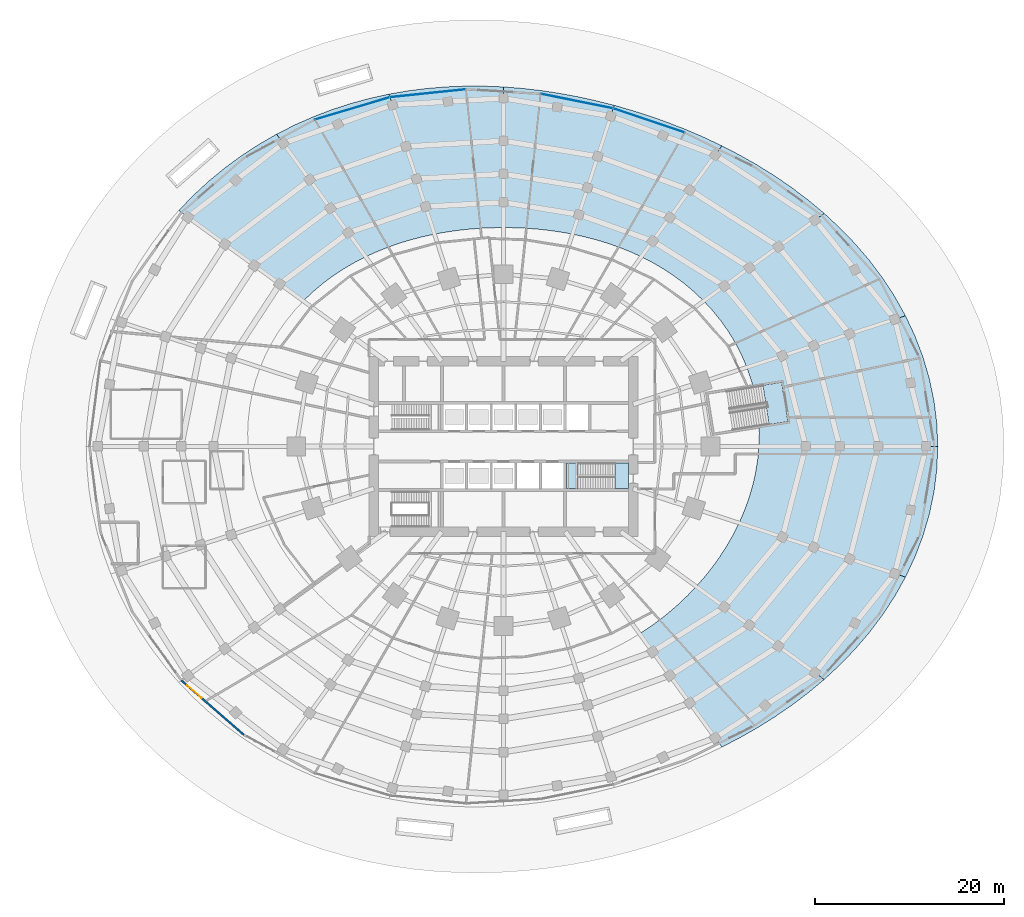
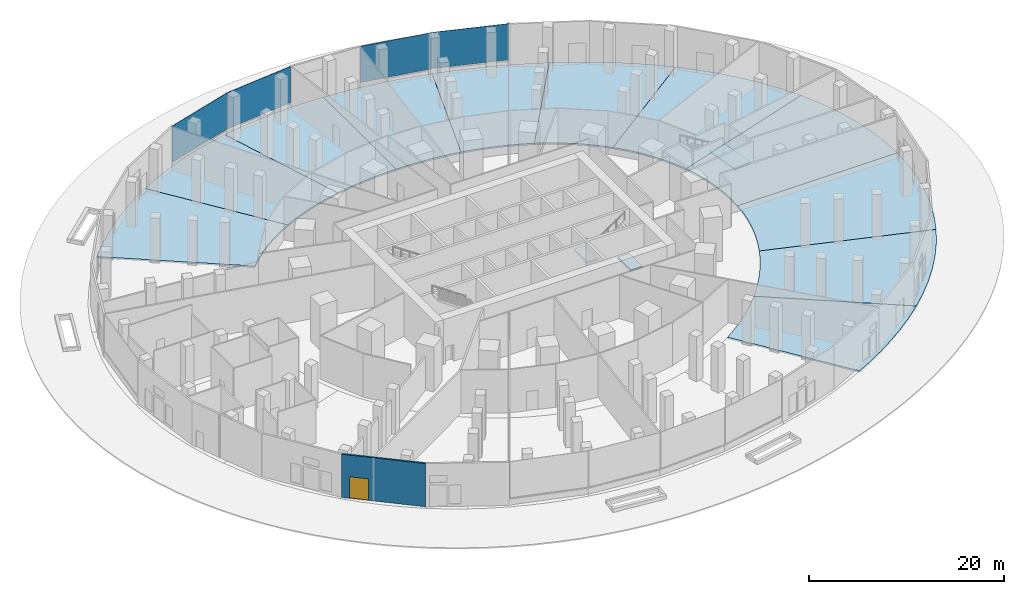
# One storey, part 13 of 23: 14 slabs, 4 plates, 1 door, 1 wall, 1 opening, 4 elements without a shape of their own.
"""IFC4 building model written with IfcOpenShell, lengths in metres."""

from ifc_helpers import new_model, si_unit, direction, frame, frame_2d, origin, origin_2d, place, context, subcontext, project, spatial, polyline, rectangle, outline, extrude, material, layer, layer_set, type_object, element, fill, aggregate, save


model = new_model("IFC4")

# Units and contexts
model_context = context("Model", 3, precision=1e-05, world=origin(), true_north=direction((0.0, 1.0)))
body_context = subcontext(model_context, "Body", "Model", "MODEL_VIEW")
ifc_project = project(units=[si_unit("LENGTHUNIT", "METRE"), si_unit("AREAUNIT", "SQUARE_METRE"), si_unit("VOLUMEUNIT", "CUBIC_METRE"), si_unit("PLANEANGLEUNIT", "RADIAN"), si_unit("MASSUNIT", "GRAM", prefix="KILO")], contexts=[model_context])

# Site, building, storey
site_placement = place(None, origin())
site = spatial("IfcSite", under=ifc_project, at=site_placement, CompositionType="ELEMENT")
building_placement = place(site_placement, origin())
building = spatial("IfcBuilding", under=site, at=building_placement, Name="Marramba Exchange Tower", CompositionType="ELEMENT")
storey_placement = place(building_placement, origin())
storey = spatial("IfcBuildingStorey", under=building, at=storey_placement, Name="L00", CompositionType="ELEMENT", Elevation=0.0)

# Curtain wall, plates
ifc_material_1 = material(Name="Aluminium framing, bronze anodised", Category="aluminium")
curtain_wall_type = type_object("IfcCurtainWallType", Name="Exchange hall glazed wall", PredefinedType="USERDEFINED", material=ifc_material_1)
curtain_wall_1_placement = place(storey_placement, origin())
curtain_wall_1 = element("IfcCurtainWall", 1, at=curtain_wall_1_placement, inside=storey, type_object=curtain_wall_type, Name="Curtain wall CW1 L00 F06-F07", ObjectType="RIBBON CURTAIN WALL", PredefinedType="USERDEFINED")
ifc_material_2 = material(Name="Laminated double glazed unit 12.76 + 16 + 12.76, bronze tinted", Category="glass")
ifc_layer_1 = layer(ifc_material_2, 0.04150390625)
ifc_layer_set_1 = layer_set([ifc_layer_1], Name="Exchange hall glazed wall panel")
plate_type = type_object("IfcPlateType", Name="Exchange hall glazed wall panel", PredefinedType="CURTAIN_PANEL", material=ifc_layer_set_1)
plate_1_placement = place(storey_placement, frame((15.35009765625, 34.454833984375, 0.85986328125), z_axis=(0.0, 0.0, 1.0), x_axis=(-0.947381977013, 0.320105278981, 0.0)))
plate_1 = element("IfcPlate", 2, at=plate_1_placement, type_object=plate_type, Name="CW1 vision panel", PredefinedType="CURTAIN_PANEL", context=body_context, shape_type="SweptSolid", body=[
    extrude(rectangle(XDim=7.904052734375, YDim=0.04150390625, at=origin_2d()), origin(), (0.0, 0.0, 1.0), 4.5400390625),
])
plate_2_placement = place(storey_placement, frame((7.76171875, 36.49462890625, 0.85986328125), z_axis=(0.0, 0.0, 1.0), x_axis=(-0.980295806673, 0.197535139708, 0.0)))
plate_2 = element("IfcPlate", 3, at=plate_2_placement, type_object=plate_type, Name="CW1 vision panel", PredefinedType="CURTAIN_PANEL", context=body_context, shape_type="SweptSolid", body=[
    extrude(rectangle(XDim=7.723388671875, YDim=0.04150390625, at=origin_2d()), origin(), (0.0, 0.0, 1.0), 4.5400390625),
])
aggregate(curtain_wall_1, [plate_1, plate_2])

curtain_wall_2_placement = place(storey_placement, origin())
curtain_wall_2 = element("IfcCurtainWall", 4, at=curtain_wall_2_placement, inside=storey, type_object=curtain_wall_type, Name="Curtain wall CW1 L00 F09-F10", ObjectType="RIBBON CURTAIN WALL", PredefinedType="USERDEFINED")
plate_3_placement = place(storey_placement, frame((-8.0087890625, 37.318359375, 0.85986328125), z_axis=(0.0, 0.0, 1.0), x_axis=(-0.994676919523, -0.103042834628, 0.0)))
plate_3 = element("IfcPlate", 5, at=plate_3_placement, type_object=plate_type, Name="CW1 vision panel", PredefinedType="CURTAIN_PANEL", context=body_context, shape_type="SweptSolid", body=[
    extrude(rectangle(XDim=8.008056640625, YDim=0.04150390625, at=origin_2d()), origin(), (0.0, 0.0, 1.0), 4.5400390625),
])
plate_4_placement = place(storey_placement, frame((-15.965576171875, 35.72119140625, 0.85986328125), z_axis=(0.0, 0.0, 1.0), x_axis=(-0.958342724342, -0.285620767277, 0.0)))
plate_4 = element("IfcPlate", 6, at=plate_4_placement, type_object=plate_type, Name="CW1 vision panel", PredefinedType="CURTAIN_PANEL", context=body_context, shape_type="SweptSolid", body=[
    extrude(rectangle(XDim=8.173828125, YDim=0.04150390625, at=origin_2d()), origin(), (0.0, 0.0, 1.0), 4.5400390625),
])
aggregate(curtain_wall_2, [plate_3, plate_4])

# Slabs
ifc_material_3 = material(Name="Concrete N40", Category="concrete")
ifc_layer_2 = layer(ifc_material_3, 0.199951171875)
ifc_layer_set_2 = layer_set([ifc_layer_2], Name="Floor slab 200")
slab_type_1 = type_object("IfcSlabType", Name="Floor slab 200", PredefinedType="FLOOR", material=ifc_layer_set_2)
slab_1_placement = place(storey_placement, frame((0.0, 0.0, -0.199951171875)))
element("IfcSlab", 7, at=slab_1_placement, inside=storey, type_object=slab_type_1, Name="Floor slab L00 podium bay 01", PredefinedType="FLOOR", context=body_context, shape_type="SweptSolid", body=[
    extrude(outline(polyline([(43.4990234375, 11.655517578125), (44.344970703125, 9.42578125), (45.016845703125, 7.1298828125), (45.5048828125, 4.78271484375), (45.80078125, 2.400390625), (45.89990234375, 0.0), (27.0, 0.0), (27.035888671875, 1.4169921875), (26.97265625, 2.8349609375), (26.80859375, 4.24609375), (26.5439453125, 5.64208984375), (26.179443359375, 7.0146484375), (25.717529296875, 8.356201171875), (42.491943359375, 13.806396484375), (43.4990234375, 11.655517578125)])), origin(), (0.0, 0.0, 1.0), 0.199951171875),
])
slab_2_placement = place(storey_placement, frame((0.0, 0.0, -0.199951171875)))
element("IfcSlab", 8, at=slab_2_placement, inside=storey, type_object=slab_type_1, Name="Floor slab L00 podium bay 02", PredefinedType="FLOOR", context=body_context, shape_type="SweptSolid", body=[
    extrude(outline(polyline([(33.901123046875, 24.630615234375), (35.559814453125, 23.0927734375), (37.147705078125, 21.447265625), (38.650146484375, 19.693115234375), (40.052001953125, 17.832275390625), (41.337890625, 15.8681640625), (42.491943359375, 13.806396484375), (25.717529296875, 8.356201171875), (25.16162109375, 9.65869140625), (24.516357421875, 10.915283203125), (23.786865234375, 12.1201171875), (22.9794921875, 13.267333984375), (22.10107421875, 14.3525390625), (21.158447265625, 15.37255859375), (33.901123046875, 24.630615234375)])), origin(), (0.0, 0.0, 1.0), 0.199951171875),
])
slab_3_placement = place(storey_placement, frame((0.0, 0.0, -0.199951171875)))
element("IfcSlab", 9, at=slab_3_placement, inside=storey, type_object=slab_type_1, Name="Floor slab L00 podium bay 03", PredefinedType="FLOOR", context=body_context, shape_type="SweptSolid", body=[
    extrude(outline(polyline([(23.0849609375, 31.773681640625), (24.9482421875, 30.808349609375), (26.7958984375, 29.759765625), (28.62255859375, 28.62255859375), (30.421630859375, 27.391845703125), (32.1845703125, 26.0625), (33.901123046875, 24.630615234375), (21.158447265625, 15.37255859375), (20.159423828125, 16.32470703125), (19.11083984375, 17.20751953125), (18.020263671875, 18.020263671875), (16.89453125, 18.763427734375), (15.740478515625, 19.437744140625), (14.563720703125, 20.04541015625), (23.0849609375, 31.773681640625)])), origin(), (0.0, 0.0, 1.0), 0.199951171875),
])
slab_4_placement = place(storey_placement, frame((0.0, 0.0, -0.199951171875)))
element("IfcSlab", 10, at=slab_4_placement, inside=storey, type_object=slab_type_1, Name="Floor slab L00 podium bay 04", PredefinedType="FLOOR", context=body_context, shape_type="SweptSolid", body=[
    extrude(outline(polyline([(13.628662109375, 35.504150390625), (15.53515625, 34.892578125), (17.43408203125, 34.216552734375), (19.325927734375, 33.4736328125), (21.210205078125, 32.66064453125), (23.0849609375, 31.773681640625), (14.563720703125, 20.04541015625), (13.3701171875, 20.588134765625), (12.164306640625, 21.069091796875), (10.9501953125, 21.4912109375), (9.7314453125, 21.857421875), (8.5107421875, 22.1708984375), (7.289794921875, 22.435302734375), (11.714111328125, 36.052734375), (13.628662109375, 35.504150390625)])), origin(), (0.0, 0.0, 1.0), 0.199951171875),
])
slab_5_placement = place(storey_placement, frame((0.0, 0.0, -0.199951171875)))
element("IfcSlab", 11, at=slab_5_placement, inside=storey, type_object=slab_type_1, Name="Floor slab L00 podium bay 05", PredefinedType="FLOOR", context=body_context, shape_type="SweptSolid", body=[
    extrude(outline(polyline([(1.9833984375, 37.843994140625), (3.95361328125, 37.6171875), (5.911376953125, 37.322509765625), (7.856689453125, 36.962646484375), (9.79052734375, 36.538818359375), (11.714111328125, 36.052734375), (7.289794921875, 22.435302734375), (6.06982421875, 22.6533203125), (4.85205078125, 22.827392578125), (3.636474609375, 22.96044921875), (2.423095703125, 23.053955078125), (1.211181640625, 23.109619140625), (0.0, 23.1279296875), (0.0, 38.0), (1.9833984375, 37.843994140625)])), origin(), (0.0, 0.0, 1.0), 0.199951171875),
])
slab_6_placement = place(storey_placement, frame((0.0, 0.0, -0.199951171875)))
element("IfcSlab", 12, at=slab_6_placement, inside=storey, type_object=slab_type_1, Name="Floor slab L00 podium bay 06", PredefinedType="FLOOR", context=body_context, shape_type="SweptSolid", body=[
    extrude(outline(polyline([(-12.099609375, 37.238525390625), (-10.071533203125, 37.587158203125), (-8.04345703125, 37.842041015625), (-6.019775390625, 38.006591796875), (-4.0029296875, 38.085205078125), (-1.995849609375, 38.08154296875), (0.0, 38.0), (0.0, 23.1279296875), (-1.211181640625, 23.109619140625), (-2.423095703125, 23.053955078125), (-3.636474609375, 22.96044921875), (-4.85205078125, 22.827392578125), (-6.06982421875, 22.6533203125), (-7.289794921875, 22.435302734375), (-12.099609375, 37.238525390625)])), origin(), (0.0, 0.0, 1.0), 0.199951171875),
])
slab_7_placement = place(storey_placement, frame((0.0, 0.0, -0.199951171875)))
element("IfcSlab", 13, at=slab_7_placement, inside=storey, type_object=slab_type_1, Name="Floor slab L00 podium bay 07", PredefinedType="FLOOR", context=body_context, shape_type="SweptSolid", body=[
    extrude(outline(polyline([(-22.06494140625, 33.97705078125), (-20.11474609375, 34.83984375), (-18.136962890625, 35.595703125), (-16.1376953125, 36.24560546875), (-14.123291015625, 36.79248046875), (-12.099609375, 37.238525390625), (-7.289794921875, 22.435302734375), (-8.5107421875, 22.1708984375), (-9.7314453125, 21.857421875), (-10.9501953125, 21.4912109375), (-12.164306640625, 21.069091796875), (-13.3701171875, 20.588134765625), (-14.563720703125, 20.04541015625), (-23.980224609375, 33.005859375), (-22.06494140625, 33.97705078125)])), origin(), (0.0, 0.0, 1.0), 0.199951171875),
])
slab_8_placement = place(storey_placement, frame((0.0, 0.0, -0.199951171875)))
element("IfcSlab", 14, at=slab_8_placement, inside=storey, type_object=slab_type_1, Name="Floor slab L00 podium bay 08", PredefinedType="FLOOR", context=body_context, shape_type="SweptSolid", body=[
    extrude(outline(polyline([(-34.32275390625, 24.93701171875), (-32.774169921875, 26.5400390625), (-31.145263671875, 28.04345703125), (-29.44384765625, 29.44384765625), (-27.67724609375, 30.738525390625), (-25.853515625, 31.92626953125), (-23.980224609375, 33.005859375), (-14.563720703125, 20.04541015625), (-15.740478515625, 19.437744140625), (-16.89453125, 18.763427734375), (-18.020263671875, 18.020263671875), (-19.11083984375, 17.20751953125), (-20.159423828125, 16.32470703125), (-21.158447265625, 15.37255859375), (-34.32275390625, 24.93701171875)])), origin(), (0.0, 0.0, 1.0), 0.199951171875),
])
slab_9_placement = place(storey_placement, frame((0.0, 0.0, -0.199951171875)))
element("IfcSlab", 15, at=slab_9_placement, inside=storey, type_object=slab_type_1, Name="Floor slab L00 podium bay 18", PredefinedType="FLOOR", context=body_context, shape_type="SweptSolid", body=[
    extrude(outline(polyline([(32.1845703125, -26.0625), (30.421630859375, -27.391845703125), (28.62255859375, -28.62255859375), (26.7958984375, -29.759765625), (24.9482421875, -30.808349609375), (23.0849609375, -31.773681640625), (14.385009765625, -19.799072265625), (15.457275390625, -19.088134765625), (16.501953125, -18.327392578125), (17.517578125, -17.517578125), (18.502197265625, -16.659423828125), (19.453369140625, -15.753173828125), (20.36865234375, -14.798583984375), (33.901123046875, -24.630615234375), (32.1845703125, -26.0625)])), origin(), (0.0, 0.0, 1.0), 0.199951171875),
])
slab_10_placement = place(storey_placement, frame((0.0, 0.0, -0.199951171875)))
element("IfcSlab", 16, at=slab_10_placement, inside=storey, type_object=slab_type_1, Name="Floor slab L00 podium bay 19", PredefinedType="FLOOR", context=body_context, shape_type="SweptSolid", body=[
    extrude(outline(polyline([(42.491943359375, -13.806396484375), (41.337890625, -15.8681640625), (40.052001953125, -17.832275390625), (38.650146484375, -19.693115234375), (37.147705078125, -21.447265625), (35.559814453125, -23.0927734375), (33.901123046875, -24.630615234375), (20.36865234375, -14.798583984375), (21.244873046875, -13.796630859375), (22.078369140625, -12.7470703125), (22.865234375, -11.650390625), (23.60107421875, -10.5078125), (24.280517578125, -9.320556640625), (24.8984375, -8.090087890625), (42.491943359375, -13.806396484375)])), origin(), (0.0, 0.0, 1.0), 0.199951171875),
])
slab_11_placement = place(storey_placement, frame((0.0, 0.0, -0.199951171875)))
element("IfcSlab", 17, at=slab_11_placement, inside=storey, type_object=slab_type_1, Name="Floor slab L00 podium bay 20", PredefinedType="FLOOR", context=body_context, shape_type="SweptSolid", body=[
    extrude(outline(polyline([(45.5048828125, -4.78271484375), (45.016845703125, -7.1298828125), (44.344970703125, -9.42578125), (43.4990234375, -11.655517578125), (42.491943359375, -13.806396484375), (24.8984375, -8.090087890625), (25.44921875, -6.819091796875), (25.927001953125, -5.510986328125), (26.326171875, -4.169677734375), (26.64111328125, -2.800048828125), (26.8671875, -1.407958984375), (27.0, 0.0), (45.89990234375, 0.0), (45.80078125, -2.400390625), (45.5048828125, -4.78271484375)])), origin(), (0.0, 0.0, 1.0), 0.199951171875),
])

# Stair, slabs
ifc_material_4 = material(Name="Concrete N40 (40 MPa)", Category="concrete")
stair_type_1 = type_object("IfcStairType", Name="Exit stair ST2 5600 x 1250", PredefinedType="HALF_TURN_STAIR", material=ifc_material_4)
stair_1_placement = place(storey_placement, origin())
stair_1 = element("IfcStair", 18, at=stair_1_placement, inside=storey, type_object=stair_type_1, Name="Exit stair ST2 L00", PredefinedType="HALF_TURN_STAIR")
ifc_layer_3 = layer(ifc_material_4, 0.199951171875)
ifc_layer_set_3 = layer_set([ifc_layer_3], Name="Stair landing 200")
slab_type_2 = type_object("IfcSlabType", Name="Stair landing 200", PredefinedType="LANDING", material=ifc_layer_set_3)
slab_12_placement = place(storey_placement, frame((0.0, 0.0, -0.199951171875)))
slab_12 = element("IfcSlab", 19, at=slab_12_placement, type_object=slab_type_2, Name="ST2 landing 1", PredefinedType="LANDING", context=body_context, shape_type="SweptSolid", body=[
    extrude(outline(polyline([(11.800048828125, -4.449951171875), (13.199951171875, -4.449951171875), (13.199951171875, -1.75), (11.800048828125, -1.75), (11.800048828125, -4.449951171875)])), origin(), (0.0, 0.0, 1.0), 0.199951171875),
])
slab_13_placement = place(storey_placement, frame((0.0, 0.0, 2.60009765625)))
slab_13 = element("IfcSlab", 20, at=slab_13_placement, type_object=slab_type_2, Name="ST2 landing 2", PredefinedType="LANDING", context=body_context, shape_type="SweptSolid", body=[
    extrude(outline(polyline([(6.64990234375, -4.449951171875), (7.89990234375, -4.449951171875), (7.89990234375, -1.75), (6.64990234375, -1.75), (6.64990234375, -4.449951171875)])), origin(), (0.0, 0.0, 1.0), 0.199951171875),
])
aggregate(stair_1, [slab_12, slab_13])

# Stair, slab
stair_type_2 = type_object("IfcStairType", Name="Exit stair ST4 5600 x 2000", PredefinedType="HALF_TURN_STAIR", material=ifc_material_4)
stair_2_placement = place(storey_placement, origin())
stair_2 = element("IfcStair", 21, at=stair_2_placement, inside=storey, type_object=stair_type_2, Name="Exit stair ST4 L00", PredefinedType="HALF_TURN_STAIR")
slab_14_placement = place(storey_placement, frame((0.0, 0.0, 2.60009765625)))
slab_14 = element("IfcSlab", 22, at=slab_14_placement, type_object=slab_type_2, Name="ST4 landing 1", PredefinedType="LANDING", context=body_context, shape_type="SweptSolid", body=[
    extrude(outline(polyline([(28.07275390625, 2.320068359375), (30.057861328125, 2.634521484375), (29.40087890625, 6.78271484375), (27.415771484375, 6.468505859375), (28.07275390625, 2.320068359375)])), origin(), (0.0, 0.0, 1.0), 0.199951171875),
])
aggregate(stair_2, [slab_14])

# Wall, opening, door
ifc_material_5 = material(Name="Aluminium-framed bronze cladding on steel studs", Category="steel")
ifc_layer_4 = layer(ifc_material_5, 0.199951171875)
ifc_layer_set_4 = layer_set([ifc_layer_4], Name="Door screen wall 200")
wall_type = type_object("IfcWallType", Name="Door screen wall 200", PredefinedType="SOLIDWALL", material=ifc_layer_set_4)
wall_placement = place(storey_placement, frame((-34.03955078125, -24.731201171875, 0.0), z_axis=(0.0, 0.0, 1.0), x_axis=(0.753966562676, -0.656912796623, 0.0)))
wall = element("IfcWall", 23, at=wall_placement, inside=storey, type_object=wall_type, Name="Door screen L00 F19", PredefinedType="SOLIDWALL", context=body_context, shape_type="SweptSolid", body=[
    extrude(rectangle(XDim=8.7490234375, YDim=0.199951171875, at=frame_2d((4.37451171875, 0.0))), origin(), (0.0, 0.0, 1.0), 5.39990234375),
])
opening_placement = place(wall_placement, frame((0.830078125, 0.0, 0.0)))
opening = element("IfcOpeningElement", 24, at=opening_placement, cuts=wall, Name="Opening D21", PredefinedType="OPENING", context=body_context, shape_type="SweptSolid", body=[
    extrude(rectangle(XDim=2.0, YDim=2.699951171875, at=frame_2d((1.0, 1.35009765625))), frame((0.0, 0.10986328125, 0.0), z_axis=(0.0, -1.0, 0.0), x_axis=(1.0, 0.0, 0.0)), (0.0, 0.0, 1.0), 0.219970703125),
])
ifc_material_6 = material(Name="Aluminium-framed glazed door, bronze", Category="aluminium")
door_type = type_object("IfcDoorType", Name="Exit door pair 2000x2700", OperationType="DOUBLE_DOOR_SINGLE_SWING", PredefinedType="DOOR", material=ifc_material_6)
door_placement = place(opening_placement, frame((2.0, 0.0, 0.0), z_axis=(0.0, 0.0, 1.0), x_axis=(-1.0, 0.0, 0.0)))
door = element("IfcDoor", 25, at=door_placement, inside=storey, type_object=door_type, Name="D21 L00", OperationType="DOUBLE_DOOR_SINGLE_SWING", OverallHeight=2.699951171875, OverallWidth=2.0, PredefinedType="DOOR", context=body_context, shape_type="SweptSolid", body=[
    extrude(rectangle(XDim=2.0, YDim=2.699951171875, at=frame_2d((1.0, 1.35009765625))), frame((0.0, 0.025146484375, 0.0), z_axis=(0.0, -1.0, 0.0), x_axis=(1.0, 0.0, 0.0)), (0.0, 0.0, 1.0), 0.050048828125),
])
fill(opening, door)

save(model, "model.ifc")
